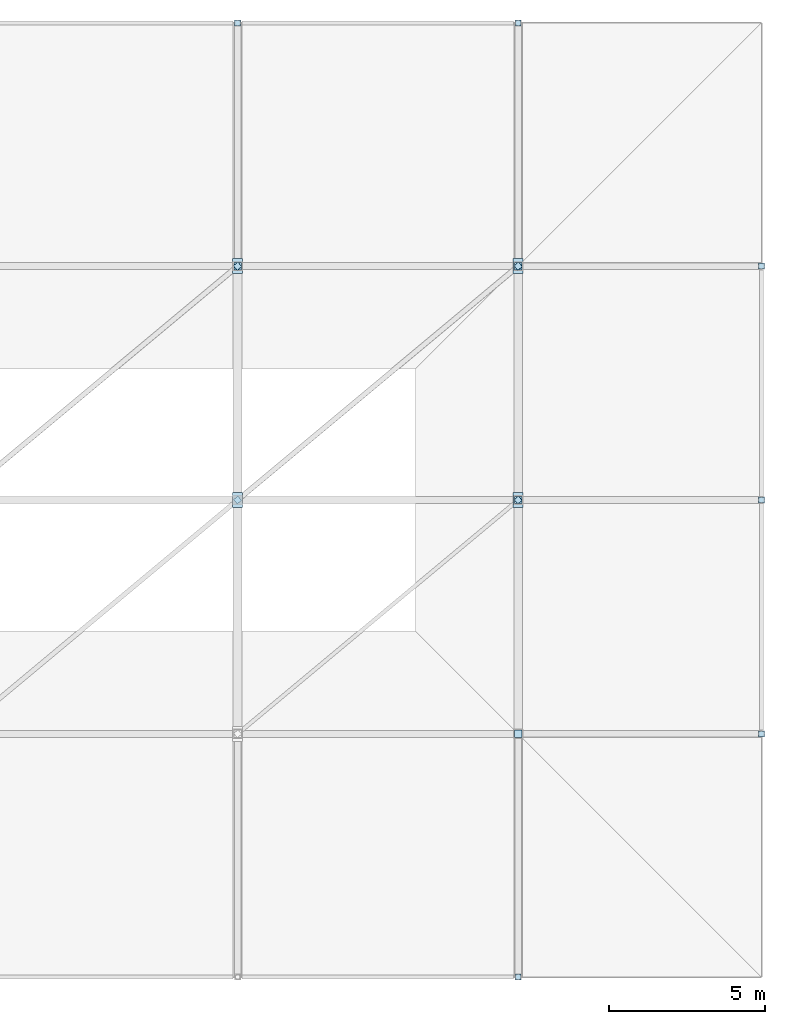
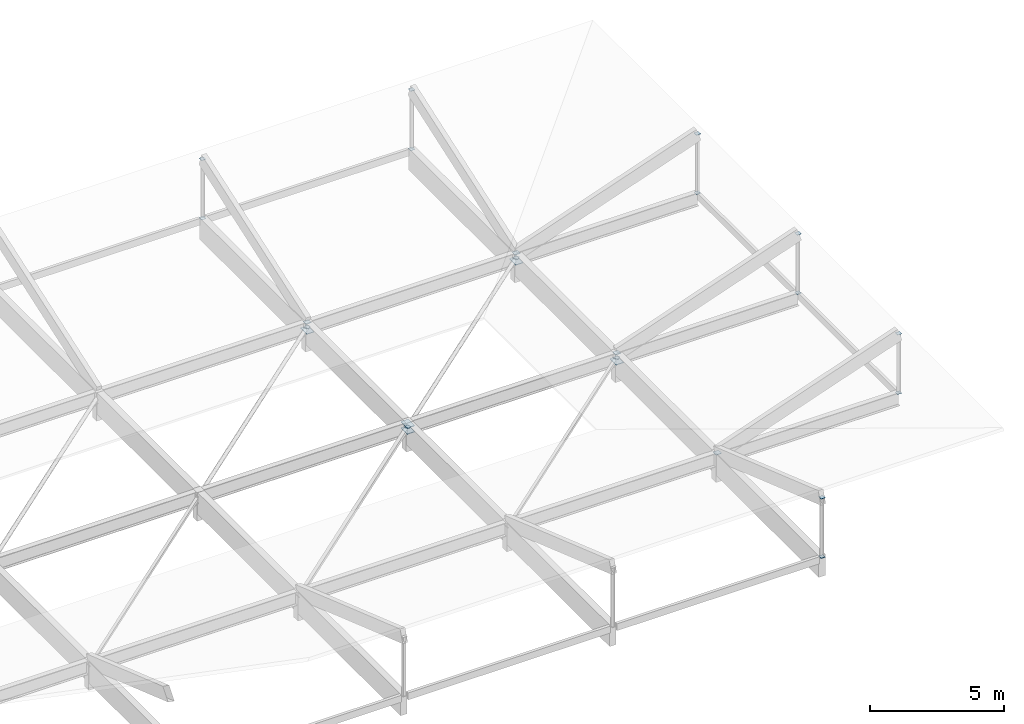
# One storey, part 19 of 19: 25 plates.
"""IFC4 building model written with IfcOpenShell, lengths in metres."""

from ifc_helpers import new_model, si_unit, direction, frame, origin, origin_2d, place, context, subcontext, project, spatial, rectangle, extrude, material, layer, layer_set, type_object, element, save


model = new_model("IFC4")

# Units and contexts
model_context = context("Model", 3, precision=1e-05, world=origin(), true_north=direction((0.0, 1.0)))
body_context = subcontext(model_context, "Body", "Model", "MODEL_VIEW")
ifc_project = project(units=[si_unit("LENGTHUNIT", "METRE"), si_unit("AREAUNIT", "SQUARE_METRE"), si_unit("VOLUMEUNIT", "CUBIC_METRE"), si_unit("PLANEANGLEUNIT", "RADIAN"), si_unit("MASSUNIT", "GRAM", prefix="KILO")], contexts=[model_context])

# Site, building, storey
site_placement = place(None, origin())
site = spatial("IfcSite", under=ifc_project, at=site_placement, CompositionType="ELEMENT")
building_placement = place(site_placement, origin())
building = spatial("IfcBuilding", under=site, at=building_placement, Name="Marnridge Secondary College", CompositionType="ELEMENT")
storey_placement = place(building_placement, frame((0.0, 0.0, 23.699951171875)))
storey = spatial("IfcBuildingStorey", under=building, at=storey_placement, Name="Roof Level", CompositionType="ELEMENT", Elevation=23.699951171875)

# Plates
ifc_material_1 = material(Name="Structural steel plate Grade 350 (AS/NZS 3678, fy = 350 MPa <=12mm, 340 MPa 12-20mm, 330 MPa 20-50mm)", Category="steel")
ifc_layer_1 = layer(ifc_material_1, 0.011962890625)
ifc_layer_set_1 = layer_set([ifc_layer_1], Name="PT-CAP-EXT")
plate_type_1 = type_object("IfcPlateType", Name="PT-CAP-EXT", PredefinedType="SHEET", material=ifc_layer_set_1)
for number, where, z_axis, x_axis, name in (
    (1, (81.0, 75.300048828125, 1.21630859375), (0.0, 0.0, 1.0), (1.0, 0.0, 0.0), "Tube end cap MCAN-008-EC1"),
    (2, (81.0, 75.300048828125, 3.9169921875), (0.0, 0.0, 1.0), (1.0, 0.0, 0.0), "Tube end cap MCAN-008-EC2"),
):
    element("IfcPlate", number, at=place(storey_placement, frame(where, z_axis=z_axis, x_axis=x_axis)), inside=storey, type_object=plate_type_1, Name=name, PredefinedType="SHEET", context=body_context, shape_type="SweptSolid", body=[
        extrude(rectangle(XDim=0.18798828125, YDim=0.18798828125, at=origin_2d()), origin(), (0.0, 0.0, 1.0), 0.011962890625),
    ])
plate_1_placement = place(storey_placement, frame((81.0, 67.501953125, 1.21484375), z_axis=(0.0, 0.0, 1.0), x_axis=(0.0, 1.0, 0.0)))
element("IfcPlate", 3, at=plate_1_placement, inside=storey, type_object=plate_type_1, Name="Tube end cap MCR-008-EC1", PredefinedType="SHEET", context=body_context, shape_type="SweptSolid", body=[
    extrude(rectangle(XDim=0.235107421875, YDim=0.235107421875, at=origin_2d()), origin(), (0.0, 0.0, 1.0), 0.011962890625),
])
for number, where, z_axis, x_axis, name in (
    (4, (90.0, 44.699951171875, 1.21630859375), (0.0, 0.0, 1.0), (1.0, 0.0, 0.0), "Tube end cap MCAN-009-EC1"),
    (5, (90.0, 44.699951171875, 3.9169921875), (0.0, 0.0, 1.0), (1.0, 0.0, 0.0), "Tube end cap MCAN-009-EC2"),
):
    element("IfcPlate", number, at=place(storey_placement, frame(where, z_axis=z_axis, x_axis=x_axis)), inside=storey, type_object=plate_type_1, Name=name, PredefinedType="SHEET", context=body_context, shape_type="SweptSolid", body=[
        extrude(rectangle(XDim=0.18798828125, YDim=0.18798828125, at=origin_2d()), origin(), (0.0, 0.0, 1.0), 0.011962890625),
    ])
plate_2_placement = place(storey_placement, frame((90.0, 52.498046875, 1.21484375), z_axis=(0.0, 0.0, 1.0), x_axis=(0.0, -1.0, 0.0)))
element("IfcPlate", 6, at=plate_2_placement, inside=storey, type_object=plate_type_1, Name="Tube end cap MCR-009-EC1", PredefinedType="SHEET", context=body_context, shape_type="SweptSolid", body=[
    extrude(rectangle(XDim=0.235107421875, YDim=0.235107421875, at=origin_2d()), origin(), (0.0, 0.0, 1.0), 0.011962890625),
])
for number, where, z_axis, x_axis, name in (
    (7, (90.0, 75.300048828125, 1.21630859375), (0.0, 0.0, 1.0), (1.0, 0.0, 0.0), "Tube end cap MCAN-010-EC1"),
    (8, (90.0, 75.300048828125, 3.9169921875), (0.0, 0.0, 1.0), (1.0, 0.0, 0.0), "Tube end cap MCAN-010-EC2"),
):
    element("IfcPlate", number, at=place(storey_placement, frame(where, z_axis=z_axis, x_axis=x_axis)), inside=storey, type_object=plate_type_1, Name=name, PredefinedType="SHEET", context=body_context, shape_type="SweptSolid", body=[
        extrude(rectangle(XDim=0.18798828125, YDim=0.18798828125, at=origin_2d()), origin(), (0.0, 0.0, 1.0), 0.011962890625),
    ])
plate_3_placement = place(storey_placement, frame((90.0, 67.501953125, 1.21484375), z_axis=(0.0, 0.0, 1.0), x_axis=(0.0, 1.0, 0.0)))
element("IfcPlate", 9, at=plate_3_placement, inside=storey, type_object=plate_type_1, Name="Tube end cap MCR-010-EC1", PredefinedType="SHEET", context=body_context, shape_type="SweptSolid", body=[
    extrude(rectangle(XDim=0.235107421875, YDim=0.235107421875, at=origin_2d()), origin(), (0.0, 0.0, 1.0), 0.011962890625),
])
for number, where, z_axis, x_axis, name in (
    (10, (97.800048828125, 52.5, 1.21630859375), (0.0, 0.0, 1.0), (1.0, 0.0, 0.0), "Tube end cap MCAN-012-EC1"),
    (11, (97.800048828125, 52.5, 3.9169921875), (0.0, 0.0, 1.0), (1.0, 0.0, 0.0), "Tube end cap MCAN-012-EC2"),
    (12, (97.800048828125, 60.0, 1.21630859375), (0.0, 0.0, 1.0), (1.0, 0.0, 0.0), "Tube end cap MCAN-014-EC1"),
    (13, (97.800048828125, 60.0, 3.9169921875), (0.0, 0.0, 1.0), (1.0, 0.0, 0.0), "Tube end cap MCAN-014-EC2"),
):
    element("IfcPlate", number, at=place(storey_placement, frame(where, z_axis=z_axis, x_axis=x_axis)), inside=storey, type_object=plate_type_1, Name=name, PredefinedType="SHEET", context=body_context, shape_type="SweptSolid", body=[
        extrude(rectangle(XDim=0.18798828125, YDim=0.18798828125, at=origin_2d()), origin(), (0.0, 0.0, 1.0), 0.011962890625),
    ])
plate_4_placement = place(storey_placement, frame((90.001953125, 60.0, 1.21484375), z_axis=(0.0, 0.0, 1.0), x_axis=(1.0, 0.0, 0.0)))
element("IfcPlate", 14, at=plate_4_placement, inside=storey, type_object=plate_type_1, Name="Tube end cap MCR-014-EC1", PredefinedType="SHEET", context=body_context, shape_type="SweptSolid", body=[
    extrude(rectangle(XDim=0.235107421875, YDim=0.235107421875, at=origin_2d()), origin(), (0.0, 0.0, 1.0), 0.011962890625),
])
for number, where, z_axis, x_axis, name in (
    (15, (97.800048828125, 67.5, 1.21630859375), (0.0, 0.0, 1.0), (1.0, 0.0, 0.0), "Tube end cap MCAN-016-EC1"),
    (16, (97.800048828125, 67.5, 3.9169921875), (0.0, 0.0, 1.0), (1.0, 0.0, 0.0), "Tube end cap MCAN-016-EC2"),
):
    element("IfcPlate", number, at=place(storey_placement, frame(where, z_axis=z_axis, x_axis=x_axis)), inside=storey, type_object=plate_type_1, Name=name, PredefinedType="SHEET", context=body_context, shape_type="SweptSolid", body=[
        extrude(rectangle(XDim=0.18798828125, YDim=0.18798828125, at=origin_2d()), origin(), (0.0, 0.0, 1.0), 0.011962890625),
    ])
for number, where, z_axis, x_axis, name in (
    (17, (80.99853515625, 59.998779296875, 0.994140625), (0.0, 0.0, 1.0), (0.768171791674, 0.640243780506, 0.0), "Tube end cap BR-013-EC2"),
    (18, (89.99853515625, 59.998779296875, 0.994140625), (0.0, 0.0, 1.0), (0.768171791674, 0.640243780506, 0.0), "Tube end cap BR-014-EC2"),
):
    element("IfcPlate", number, at=place(storey_placement, frame(where, z_axis=z_axis, x_axis=x_axis)), inside=storey, type_object=plate_type_1, Name=name, PredefinedType="SHEET", context=body_context, shape_type="SweptSolid", body=[
        extrude(rectangle(XDim=0.179931640625, YDim=0.179931640625, at=origin_2d()), origin(), (0.0, 0.0, 1.0), 0.011962890625),
    ])
for number, where, z_axis, x_axis, name in (
    (19, (80.99853515625, 67.498779296875, 0.994140625), (0.0, 0.0, 1.0), (0.768171791674, 0.640243780506, 0.0), "Tube end cap BR-017-EC2"),
    (20, (89.99853515625, 67.498779296875, 0.994140625), (0.0, 0.0, 1.0), (0.768171791674, 0.640243780506, 0.0), "Tube end cap BR-018-EC2"),
):
    element("IfcPlate", number, at=place(storey_placement, frame(where, z_axis=z_axis, x_axis=x_axis)), inside=storey, type_object=plate_type_1, Name=name, PredefinedType="SHEET", context=body_context, shape_type="SweptSolid", body=[
        extrude(rectangle(XDim=0.18798828125, YDim=0.18798828125, at=origin_2d()), origin(), (0.0, 0.0, 1.0), 0.011962890625),
    ])
ifc_material_2 = material(Name="Structural steel plate Grade 350 (AS/NZS 3678, fy = 350 MPa <=12mm, 340 MPa 12-20mm, 330 MPa 20-50mm)", Category="steel")
ifc_layer_2 = layer(ifc_material_2, 0.02392578125)
ifc_layer_set_2 = layer_set([ifc_layer_2], Name="PT-GUS-GSN2")
plate_type_2 = type_object("IfcPlateType", Name="PT-GUS-GSN2", PredefinedType="USERDEFINED", material=ifc_layer_set_2)
for number, where, z_axis, x_axis, name in (
    (21, (81.0, 60.0, 0.84814453125), (0.0, 0.0, 1.0), (0.0, 1.0, 0.0), "Braced-frame gusset plate GP-076"),
    (22, (90.0, 60.0, 0.84814453125), (0.0, 0.0, 1.0), (0.0, 1.0, 0.0), "Braced-frame gusset plate GP-078"),
    (23, (81.0, 67.5, 0.84814453125), (0.0, 0.0, 1.0), (0.0, 1.0, 0.0), "Braced-frame gusset plate GP-084"),
    (24, (81.0, 60.0, 1.128173828125), (0.0, 0.0, 1.0), (0.0, 1.0, 0.0), "Braced-frame gusset plate GP-085"),
    (25, (90.0, 67.5, 0.84814453125), (0.0, 0.0, 1.0), (0.0, 1.0, 0.0), "Braced-frame gusset plate GP-086"),
):
    element("IfcPlate", number, at=place(storey_placement, frame(where, z_axis=z_axis, x_axis=x_axis)), inside=storey, type_object=plate_type_2, Name=name, ObjectType="GUSSET PLATE", PredefinedType="USERDEFINED", context=body_context, shape_type="SweptSolid", body=[
        extrude(rectangle(XDim=0.47998046875, YDim=0.320068359375, at=origin_2d()), origin(), (0.0, 0.0, 1.0), 0.02392578125),
    ])

save(model, "model.ifc")
